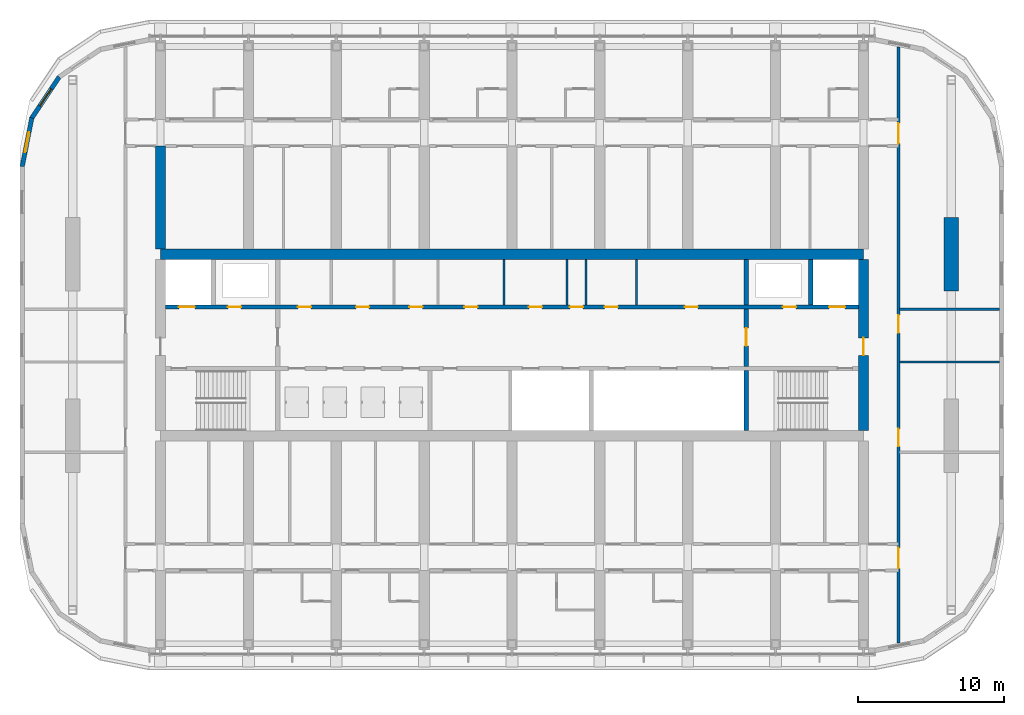
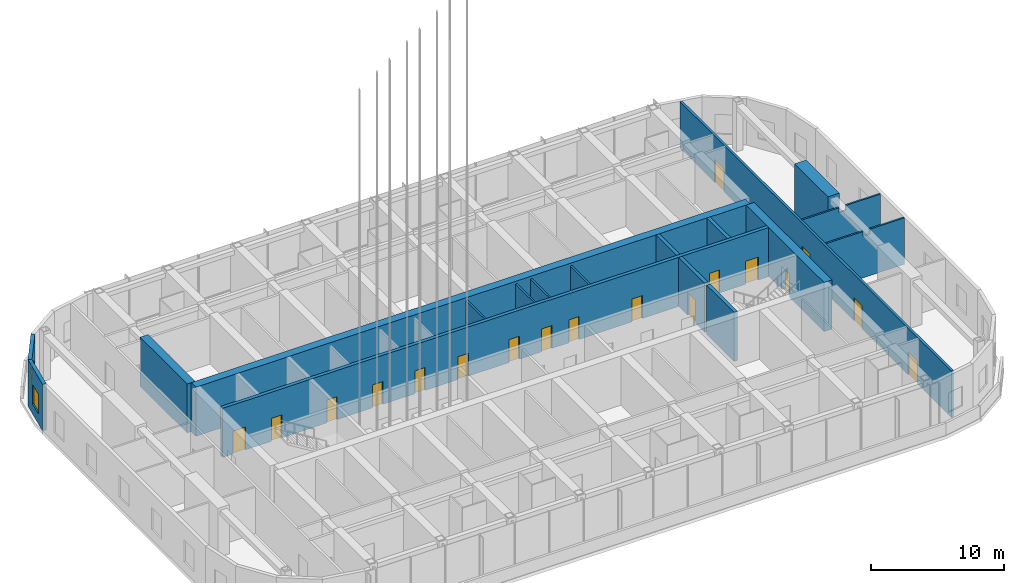
# One storey, part 18 of 35: 18 doors, 18 walls, 2 windows, 20 openings.
"""IFC4 building model written with IfcOpenShell, lengths in metres."""

from ifc_helpers import new_model, si_unit, direction, frame, frame_2d, origin, place, context, subcontext, project, spatial, polyline, rectangle, outline, extrude, material, layer, layer_set, type_object, element, fill, save


model = new_model("IFC4")

# Units and contexts
model_context = context("Model", 3, precision=1e-05, world=origin(), true_north=direction((0.0, 1.0)))
body_context = subcontext(model_context, "Body", "Model", "MODEL_VIEW")
ifc_project = project(units=[si_unit("LENGTHUNIT", "METRE"), si_unit("AREAUNIT", "SQUARE_METRE"), si_unit("VOLUMEUNIT", "CUBIC_METRE"), si_unit("PLANEANGLEUNIT", "RADIAN"), si_unit("MASSUNIT", "GRAM", prefix="KILO")], contexts=[model_context])

# Site, building, storey
site_placement = place(None, origin())
site = spatial("IfcSite", under=ifc_project, at=site_placement, CompositionType="ELEMENT")
building_placement = place(site_placement, origin())
building = spatial("IfcBuilding", under=site, at=building_placement, Name="Orbita Commons", CompositionType="ELEMENT")
storey_placement = place(building_placement, frame((0.0, 0.0, 208.300048828125)))
storey = spatial("IfcBuildingStorey", under=building, at=storey_placement, Name="L51", CompositionType="ELEMENT", Elevation=208.300048828125)

# Wall, openings, doors
ifc_material_1 = material(Name="Concrete C50/60", Category="concrete")
ifc_layer_1 = layer(ifc_material_1, 0.300048828125)
ifc_layer_set_1 = layer_set([ifc_layer_1], Name="Concrete C50/60")
wall_type_1 = type_object("IfcWallType", Name="Core inner wall 300 C50/60", PredefinedType="SHEAR", material=ifc_layer_set_1)
wall_1_placement = place(storey_placement, frame((18.35009765625, 34.60009765625, 0.0), z_axis=(0.0, 0.0, 1.0), x_axis=(1.0, 0.0, 0.0)))
wall_1 = element("IfcWall", 1, at=wall_1_placement, inside=storey, type_object=wall_type_1, Name="Lobby wall north L51", PredefinedType="SHEAR", context=body_context, shape_type="SweptSolid", body=[
    extrude(rectangle(XDim=47.2998046875, YDim=0.300048828125, at=frame_2d((23.64990234375, 0.0))), origin(), (0.0, 0.0, 1.0), 4.5),
])
opening_1_placement = place(wall_1_placement, frame((0.89990234375, 0.0, 0.0)))
opening_1 = element("IfcOpeningElement", 2, at=opening_1_placement, cuts=wall_1, Name="Opening LD01", PredefinedType="OPENING", context=body_context, shape_type="SweptSolid", body=[
    extrude(rectangle(XDim=1.10009765625, YDim=2.10009765625, at=frame_2d((0.550048828125, 1.050048828125))), frame((0.0, 0.159912109375, 0.0), z_axis=(0.0, -1.0, 0.0), x_axis=(1.0, 0.0, 0.0)), (0.0, 0.0, 1.0), 0.320068359375),
])
opening_2_placement = place(wall_1_placement, frame((45.300048828125, 0.0, 0.0)))
opening_2 = element("IfcOpeningElement", 3, at=opening_2_placement, cuts=wall_1, Name="Opening LD01", PredefinedType="OPENING", context=body_context, shape_type="SweptSolid", body=[
    extrude(rectangle(XDim=1.10009765625, YDim=2.10009765625, at=frame_2d((0.550048828125, 1.050048828125))), frame((0.0, 0.159912109375, 0.0), z_axis=(0.0, -1.0, 0.0), x_axis=(1.0, 0.0, 0.0)), (0.0, 0.0, 1.0), 0.320068359375),
])
opening_3_placement = place(wall_1_placement, frame((4.25, 0.0, 0.0)))
opening_3 = element("IfcOpeningElement", 4, at=opening_3_placement, cuts=wall_1, Name="Opening D03", PredefinedType="OPENING", context=body_context, shape_type="SweptSolid", body=[
    extrude(rectangle(XDim=0.89990234375, YDim=2.10009765625, at=frame_2d((0.449951171875, 1.050048828125))), frame((0.0, 0.159912109375, 0.0), z_axis=(0.0, -1.0, 0.0), x_axis=(1.0, 0.0, 0.0)), (0.0, 0.0, 1.0), 0.320068359375),
])
opening_4_placement = place(wall_1_placement, frame((42.14990234375, 0.0, 0.0)))
opening_4 = element("IfcOpeningElement", 5, at=opening_4_placement, cuts=wall_1, Name="Opening D03", PredefinedType="OPENING", context=body_context, shape_type="SweptSolid", body=[
    extrude(rectangle(XDim=0.89990234375, YDim=2.10009765625, at=frame_2d((0.449951171875, 1.050048828125))), frame((0.0, 0.159912109375, 0.0), z_axis=(0.0, -1.0, 0.0), x_axis=(1.0, 0.0, 0.0)), (0.0, 0.0, 1.0), 0.320068359375),
])
opening_5_placement = place(wall_1_placement, frame((9.025390625, 0.0, 0.0)))
opening_5 = element("IfcOpeningElement", 6, at=opening_5_placement, cuts=wall_1, Name="Opening D05", PredefinedType="OPENING", context=body_context, shape_type="SweptSolid", body=[
    extrude(rectangle(XDim=0.89990234375, YDim=2.10009765625, at=frame_2d((0.449951171875, 1.050048828125))), frame((0.0, 0.159912109375, 0.0), z_axis=(0.0, -1.0, 0.0), x_axis=(1.0, 0.0, 0.0)), (0.0, 0.0, 1.0), 0.320068359375),
])
opening_6_placement = place(wall_1_placement, frame((12.998779296875, 0.0, 0.0)))
opening_6 = element("IfcOpeningElement", 7, at=opening_6_placement, cuts=wall_1, Name="Opening D03", PredefinedType="OPENING", context=body_context, shape_type="SweptSolid", body=[
    extrude(rectangle(XDim=0.89990234375, YDim=2.10009765625, at=frame_2d((0.449951171875, 1.050048828125))), frame((0.0, 0.159912109375, 0.0), z_axis=(0.0, -1.0, 0.0), x_axis=(1.0, 0.0, 0.0)), (0.0, 0.0, 1.0), 0.320068359375),
])
opening_7_placement = place(wall_1_placement, frame((16.646240234375, 0.0, 0.0)))
opening_7 = element("IfcOpeningElement", 8, at=opening_7_placement, cuts=wall_1, Name="Opening D03", PredefinedType="OPENING", context=body_context, shape_type="SweptSolid", body=[
    extrude(rectangle(XDim=0.89990234375, YDim=2.10009765625, at=frame_2d((0.449951171875, 1.050048828125))), frame((0.0, 0.159912109375, 0.0), z_axis=(0.0, -1.0, 0.0), x_axis=(1.0, 0.0, 0.0)), (0.0, 0.0, 1.0), 0.320068359375),
])
opening_8_placement = place(wall_1_placement, frame((20.40478515625, 0.0, 0.0)))
opening_8 = element("IfcOpeningElement", 9, at=opening_8_placement, cuts=wall_1, Name="Opening D05", PredefinedType="OPENING", context=body_context, shape_type="SweptSolid", body=[
    extrude(rectangle(XDim=0.89990234375, YDim=2.10009765625, at=frame_2d((0.449951171875, 1.050048828125))), frame((0.0, 0.159912109375, 0.0), z_axis=(0.0, -1.0, 0.0), x_axis=(1.0, 0.0, 0.0)), (0.0, 0.0, 1.0), 0.320068359375),
])
opening_9_placement = place(wall_1_placement, frame((24.810791015625, 0.0, 0.0)))
opening_9 = element("IfcOpeningElement", 10, at=opening_9_placement, cuts=wall_1, Name="Opening D03", PredefinedType="OPENING", context=body_context, shape_type="SweptSolid", body=[
    extrude(rectangle(XDim=0.89990234375, YDim=2.10009765625, at=frame_2d((0.449951171875, 1.050048828125))), frame((0.0, 0.159912109375, 0.0), z_axis=(0.0, -1.0, 0.0), x_axis=(1.0, 0.0, 0.0)), (0.0, 0.0, 1.0), 0.320068359375),
])
opening_10_placement = place(wall_1_placement, frame((27.6083984375, 0.0, 0.0)))
opening_10 = element("IfcOpeningElement", 11, at=opening_10_placement, cuts=wall_1, Name="Opening D03", PredefinedType="OPENING", context=body_context, shape_type="SweptSolid", body=[
    extrude(rectangle(XDim=0.89990234375, YDim=2.10009765625, at=frame_2d((0.449951171875, 1.050048828125))), frame((0.0, 0.159912109375, 0.0), z_axis=(0.0, -1.0, 0.0), x_axis=(1.0, 0.0, 0.0)), (0.0, 0.0, 1.0), 0.320068359375),
])
opening_11_placement = place(wall_1_placement, frame((29.980712890625, 0.0, 0.0)))
opening_11 = element("IfcOpeningElement", 12, at=opening_11_placement, cuts=wall_1, Name="Opening D05", PredefinedType="OPENING", context=body_context, shape_type="SweptSolid", body=[
    extrude(rectangle(XDim=0.89990234375, YDim=2.10009765625, at=frame_2d((0.449951171875, 1.050048828125))), frame((0.0, 0.159912109375, 0.0), z_axis=(0.0, -1.0, 0.0), x_axis=(1.0, 0.0, 0.0)), (0.0, 0.0, 1.0), 0.320068359375),
])
opening_12_placement = place(wall_1_placement, frame((35.451416015625, 0.0, 0.0)))
opening_12 = element("IfcOpeningElement", 13, at=opening_12_placement, cuts=wall_1, Name="Opening D03", PredefinedType="OPENING", context=body_context, shape_type="SweptSolid", body=[
    extrude(rectangle(XDim=0.89990234375, YDim=2.10009765625, at=frame_2d((0.449951171875, 1.050048828125))), frame((0.0, 0.159912109375, 0.0), z_axis=(0.0, -1.0, 0.0), x_axis=(1.0, 0.0, 0.0)), (0.0, 0.0, 1.0), 0.320068359375),
])
ifc_material_2 = material(Name="Steel-faced fire door leaf", Category="steel")
door_type_1 = type_object("IfcDoorType", Name="Firefighting lift landing door 1100x2100", OperationType="DOUBLE_DOOR_SLIDING", PredefinedType="DOOR", material=ifc_material_2)
door_1_placement = place(opening_1_placement, origin())
door_1 = element("IfcDoor", 14, at=door_1_placement, inside=storey, type_object=door_type_1, Name="Firefighting lift FL1 landing door", OperationType="DOUBLE_DOOR_SLIDING", OverallHeight=2.10009765625, OverallWidth=1.10009765625, PredefinedType="DOOR", context=body_context, shape_type="SweptSolid", body=[
    extrude(rectangle(XDim=1.10009765625, YDim=2.10009765625, at=frame_2d((0.550048828125, 1.050048828125))), frame((0.0, 0.02490234375, 0.0), z_axis=(0.0, -1.0, 0.0), x_axis=(1.0, 0.0, 0.0)), (0.0, 0.0, 1.0), 0.050048828125),
])
fill(opening_1, door_1)
door_2_placement = place(opening_2_placement, origin())
door_2 = element("IfcDoor", 15, at=door_2_placement, inside=storey, type_object=door_type_1, Name="Firefighting lift FL2 landing door", OperationType="DOUBLE_DOOR_SLIDING", OverallHeight=2.10009765625, OverallWidth=1.10009765625, PredefinedType="DOOR", context=body_context, shape_type="SweptSolid", body=[
    extrude(rectangle(XDim=1.10009765625, YDim=2.10009765625, at=frame_2d((0.550048828125, 1.050048828125))), frame((0.0, 0.02490234375, 0.0), z_axis=(0.0, -1.0, 0.0), x_axis=(1.0, 0.0, 0.0)), (0.0, 0.0, 1.0), 0.050048828125),
])
fill(opening_2, door_2)
ifc_material_3 = material(Name="Steel-faced fire door leaf", Category="steel")
door_type_2 = type_object("IfcDoorType", Name="Service door 20 min 900x2100", OperationType="SINGLE_SWING_LEFT", PredefinedType="DOOR", material=ifc_material_3)
door_3_placement = place(opening_5_placement, origin())
door_3 = element("IfcDoor", 16, at=door_3_placement, inside=storey, type_object=door_type_2, Name="Staff WC door", OperationType="SINGLE_SWING_LEFT", OverallHeight=2.10009765625, OverallWidth=0.89990234375, PredefinedType="DOOR", context=body_context, shape_type="SweptSolid", body=[
    extrude(rectangle(XDim=0.89990234375, YDim=2.10009765625, at=frame_2d((0.449951171875, 1.050048828125))), frame((0.0, 0.02490234375, 0.0), z_axis=(0.0, -1.0, 0.0), x_axis=(1.0, 0.0, 0.0)), (0.0, 0.0, 1.0), 0.050048828125),
])
fill(opening_5, door_3)
door_4_placement = place(opening_8_placement, origin())
door_4 = element("IfcDoor", 17, at=door_4_placement, inside=storey, type_object=door_type_2, Name="Vending and ice room door", OperationType="SINGLE_SWING_LEFT", OverallHeight=2.10009765625, OverallWidth=0.89990234375, PredefinedType="DOOR", context=body_context, shape_type="SweptSolid", body=[
    extrude(rectangle(XDim=0.89990234375, YDim=2.10009765625, at=frame_2d((0.449951171875, 1.050048828125))), frame((0.0, 0.02490234375, 0.0), z_axis=(0.0, -1.0, 0.0), x_axis=(1.0, 0.0, 0.0)), (0.0, 0.0, 1.0), 0.050048828125),
])
fill(opening_8, door_4)
door_5_placement = place(opening_11_placement, origin())
door_5 = element("IfcDoor", 18, at=door_5_placement, inside=storey, type_object=door_type_2, Name="Accessible WC door", OperationType="SINGLE_SWING_LEFT", OverallHeight=2.10009765625, OverallWidth=0.89990234375, PredefinedType="DOOR", context=body_context, shape_type="SweptSolid", body=[
    extrude(rectangle(XDim=0.89990234375, YDim=2.10009765625, at=frame_2d((0.449951171875, 1.050048828125))), frame((0.0, 0.02490234375, 0.0), z_axis=(0.0, -1.0, 0.0), x_axis=(1.0, 0.0, 0.0)), (0.0, 0.0, 1.0), 0.050048828125),
])
fill(opening_11, door_5)
ifc_material_4 = material(Name="Steel-faced fire door leaf", Category="steel")
door_type_3 = type_object("IfcDoorType", Name="Shaft access door 90 min 900x2100", OperationType="SINGLE_SWING_LEFT", PredefinedType="DOOR", material=ifc_material_4)
door_6_placement = place(opening_3_placement, origin())
door_6 = element("IfcDoor", 19, at=door_6_placement, inside=storey, type_object=door_type_3, Name="Riser door west", OperationType="SINGLE_SWING_LEFT", OverallHeight=2.10009765625, OverallWidth=0.89990234375, PredefinedType="DOOR", context=body_context, shape_type="SweptSolid", body=[
    extrude(rectangle(XDim=0.89990234375, YDim=2.10009765625, at=frame_2d((0.449951171875, 1.050048828125))), frame((0.0, 0.02490234375, 0.0), z_axis=(0.0, -1.0, 0.0), x_axis=(1.0, 0.0, 0.0)), (0.0, 0.0, 1.0), 0.050048828125),
])
fill(opening_3, door_6)
door_7_placement = place(opening_4_placement, origin())
door_7 = element("IfcDoor", 20, at=door_7_placement, inside=storey, type_object=door_type_3, Name="Riser door east", OperationType="SINGLE_SWING_LEFT", OverallHeight=2.10009765625, OverallWidth=0.89990234375, PredefinedType="DOOR", context=body_context, shape_type="SweptSolid", body=[
    extrude(rectangle(XDim=0.89990234375, YDim=2.10009765625, at=frame_2d((0.449951171875, 1.050048828125))), frame((0.0, 0.02490234375, 0.0), z_axis=(0.0, -1.0, 0.0), x_axis=(1.0, 0.0, 0.0)), (0.0, 0.0, 1.0), 0.050048828125),
])
fill(opening_4, door_7)
door_8_placement = place(opening_6_placement, origin())
door_8 = element("IfcDoor", 21, at=door_8_placement, inside=storey, type_object=door_type_3, Name="Refuse chute room door", OperationType="SINGLE_SWING_LEFT", OverallHeight=2.10009765625, OverallWidth=0.89990234375, PredefinedType="DOOR", context=body_context, shape_type="SweptSolid", body=[
    extrude(rectangle(XDim=0.89990234375, YDim=2.10009765625, at=frame_2d((0.449951171875, 1.050048828125))), frame((0.0, 0.02490234375, 0.0), z_axis=(0.0, -1.0, 0.0), x_axis=(1.0, 0.0, 0.0)), (0.0, 0.0, 1.0), 0.050048828125),
])
fill(opening_6, door_8)
door_9_placement = place(opening_7_placement, origin())
door_9 = element("IfcDoor", 22, at=door_9_placement, inside=storey, type_object=door_type_3, Name="Electrical riser room door", OperationType="SINGLE_SWING_LEFT", OverallHeight=2.10009765625, OverallWidth=0.89990234375, PredefinedType="DOOR", context=body_context, shape_type="SweptSolid", body=[
    extrude(rectangle(XDim=0.89990234375, YDim=2.10009765625, at=frame_2d((0.449951171875, 1.050048828125))), frame((0.0, 0.02490234375, 0.0), z_axis=(0.0, -1.0, 0.0), x_axis=(1.0, 0.0, 0.0)), (0.0, 0.0, 1.0), 0.050048828125),
])
fill(opening_7, door_9)
door_10_placement = place(opening_9_placement, origin())
door_10 = element("IfcDoor", 23, at=door_10_placement, inside=storey, type_object=door_type_3, Name="Communications room door", OperationType="SINGLE_SWING_LEFT", OverallHeight=2.10009765625, OverallWidth=0.89990234375, PredefinedType="DOOR", context=body_context, shape_type="SweptSolid", body=[
    extrude(rectangle(XDim=0.89990234375, YDim=2.10009765625, at=frame_2d((0.449951171875, 1.050048828125))), frame((0.0, 0.02490234375, 0.0), z_axis=(0.0, -1.0, 0.0), x_axis=(1.0, 0.0, 0.0)), (0.0, 0.0, 1.0), 0.050048828125),
])
fill(opening_9, door_10)
door_11_placement = place(opening_10_placement, origin())
door_11 = element("IfcDoor", 24, at=door_11_placement, inside=storey, type_object=door_type_3, Name="Stair pressurisation duct door", OperationType="SINGLE_SWING_LEFT", OverallHeight=2.10009765625, OverallWidth=0.89990234375, PredefinedType="DOOR", context=body_context, shape_type="SweptSolid", body=[
    extrude(rectangle(XDim=0.89990234375, YDim=2.10009765625, at=frame_2d((0.449951171875, 1.050048828125))), frame((0.0, 0.02490234375, 0.0), z_axis=(0.0, -1.0, 0.0), x_axis=(1.0, 0.0, 0.0)), (0.0, 0.0, 1.0), 0.050048828125),
])
fill(opening_10, door_11)
door_12_placement = place(opening_12_placement, origin())
door_12 = element("IfcDoor", 25, at=door_12_placement, inside=storey, type_object=door_type_3, Name="Linen and housekeeping store door", OperationType="SINGLE_SWING_LEFT", OverallHeight=2.10009765625, OverallWidth=0.89990234375, PredefinedType="DOOR", context=body_context, shape_type="SweptSolid", body=[
    extrude(rectangle(XDim=0.89990234375, YDim=2.10009765625, at=frame_2d((0.449951171875, 1.050048828125))), frame((0.0, 0.02490234375, 0.0), z_axis=(0.0, -1.0, 0.0), x_axis=(1.0, 0.0, 0.0)), (0.0, 0.0, 1.0), 0.050048828125),
])
fill(opening_12, door_12)

# Wall
wall_2_placement = place(storey_placement, frame((58.0, 26.14990234375, 0.0), z_axis=(0.0, 0.0, 1.0), x_axis=(0.0, 1.0, 0.0)))
element("IfcWall", 26, at=wall_2_placement, inside=storey, type_object=wall_type_1, Name="Stair S2 wall L51", PredefinedType="SHEAR", context=body_context, shape_type="SweptSolid", body=[
    extrude(rectangle(XDim=4.10009765625, YDim=0.300048828125, at=frame_2d((2.050048828125, 0.0))), origin(), (0.0, 0.0, 1.0), 4.5),
])

# Wall, opening, door
wall_3_placement = place(storey_placement, frame((58.0, 30.550048828125, 0.0), z_axis=(0.0, 0.0, 1.0), x_axis=(0.0, 1.0, 0.0)))
wall_3 = element("IfcWall", 27, at=wall_3_placement, inside=storey, type_object=wall_type_1, Name="Firefighting lobby wall east L51", PredefinedType="SHEAR", context=body_context, shape_type="SweptSolid", body=[
    extrude(rectangle(XDim=3.89990234375, YDim=0.300048828125, at=frame_2d((1.949951171875, 0.0))), origin(), (0.0, 0.0, 1.0), 4.5),
])
opening_13_placement = place(wall_3_placement, frame((1.39990234375, 0.0, 0.0)))
opening_13 = element("IfcOpeningElement", 28, at=opening_13_placement, cuts=wall_3, Name="Opening D04", PredefinedType="OPENING", context=body_context, shape_type="SweptSolid", body=[
    extrude(rectangle(XDim=1.199951171875, YDim=2.10009765625, at=frame_2d((0.60009765625, 1.050048828125))), frame((0.0, 0.159912109375, 0.0), z_axis=(0.0, -1.0, 0.0), x_axis=(1.0, 0.0, 0.0)), (0.0, 0.0, 1.0), 0.320068359375),
])
ifc_material_5 = material(Name="Steel-faced fire door leaf", Category="steel")
door_type_4 = type_object("IfcDoorType", Name="Service door 20 min 1200x2100", OperationType="SINGLE_SWING_LEFT", PredefinedType="DOOR", material=ifc_material_5)
door_13_placement = place(opening_13_placement, origin())
door_13 = element("IfcDoor", 29, at=door_13_placement, inside=storey, type_object=door_type_4, Name="Lift lobby door east", OperationType="SINGLE_SWING_LEFT", OverallHeight=2.10009765625, OverallWidth=1.199951171875, PredefinedType="DOOR", context=body_context, shape_type="SweptSolid", body=[
    extrude(rectangle(XDim=1.199951171875, YDim=2.10009765625, at=frame_2d((0.60009765625, 1.050048828125))), frame((0.0, 0.02490234375, 0.0), z_axis=(0.0, -1.0, 0.0), x_axis=(1.0, 0.0, 0.0)), (0.0, 0.0, 1.0), 0.050048828125),
])
fill(opening_13, door_13)

# Walls
for number, where, z_axis, x_axis, name in (
    (30, (62.39990234375, 34.75, 0.0), (0.0, 0.0, 1.0), (0.0, 1.0, 0.0), "Firefighting lift FL2 shaft wall L51"),
    (31, (58.0, 34.75, 0.0), (0.0, 0.0, 1.0), (0.0, 1.0, 0.0), "Riser wall east L51"),
):
    element("IfcWall", number, at=place(storey_placement, frame(where, z_axis=z_axis, x_axis=x_axis)), inside=storey, type_object=wall_type_1, Name=name, PredefinedType="SHEAR", context=body_context, shape_type="SweptSolid", body=[
        extrude(rectangle(XDim=3.10009765625, YDim=0.300048828125, at=frame_2d((1.550048828125, 0.0))), origin(), (0.0, 0.0, 1.0), 4.5),
    ])
ifc_material_6 = material(Name="Concrete blockwork", Category="masonry")
ifc_layer_2 = layer(ifc_material_6, 0.14990234375)
ifc_layer_set_2 = layer_set([ifc_layer_2], Name="Concrete blockwork")
wall_type_2 = type_object("IfcWallType", Name="Core partition 150 blockwork", PredefinedType="SOLIDWALL", material=ifc_layer_set_2)
for number, where, z_axis, x_axis, name in (
    (32, (41.463134765625, 34.75, 0.0), (0.0, 0.0, 1.0), (0.0, 1.0, 0.0), "Core partition 150 blockwork L51"),
    (33, (45.75830078125, 34.75, 0.0), (0.0, 0.0, 1.0), (0.0, 1.0, 0.0), "Core partition 150 blockwork L51"),
    (34, (47.058349609375, 34.75, 0.0), (0.0, 0.0, 1.0), (0.0, 1.0, 0.0), "Core partition 150 blockwork L51"),
    (35, (50.5029296875, 34.75, 0.0), (0.0, 0.0, 1.0), (0.0, 1.0, 0.0), "Core partition 150 blockwork L51"),
):
    element("IfcWall", number, at=place(storey_placement, frame(where, z_axis=z_axis, x_axis=x_axis)), inside=storey, type_object=wall_type_2, Name=name, PredefinedType="SOLIDWALL", context=body_context, shape_type="SweptSolid", body=[
        extrude(rectangle(XDim=3.10009765625, YDim=0.14990234375, at=frame_2d((1.550048828125, 0.0))), origin(), (0.0, 0.0, 1.0), 4.25),
    ])
ifc_material_7 = material(Name="Concrete C50/60", Category="concrete")
ifc_layer_3 = layer(ifc_material_7, 0.699951171875)
ifc_layer_set_3 = layer_set([ifc_layer_3], Name="Concrete C50/60")
wall_type_3 = type_object("IfcWallType", Name="Core wall 700 C50/60", PredefinedType="SHEAR", material=ifc_layer_set_3)
wall_4_placement = place(storey_placement, frame((18.0, 38.199951171875, 0.0), z_axis=(0.0, 0.0, 1.0), x_axis=(1.0, 0.0, 0.0)))
element("IfcWall", 36, at=wall_4_placement, inside=storey, type_object=wall_type_3, Name="Core spine wall north L51", PredefinedType="SHEAR", context=body_context, shape_type="SweptSolid", body=[
    extrude(rectangle(XDim=48.0, YDim=0.699951171875, at=frame_2d((24.0, 0.0))), origin(), (0.0, 0.0, 1.0), 4.5),
])

# Wall, opening, door
wall_5_placement = place(storey_placement, frame((66.0, 26.14990234375, 0.0), z_axis=(0.0, 0.0, 1.0), x_axis=(0.0, 1.0, 0.0)))
wall_5 = element("IfcWall", 37, at=wall_5_placement, inside=storey, type_object=wall_type_3, Name="Core end wall east L51", PredefinedType="SHEAR", context=body_context, shape_type="SweptSolid", body=[
    extrude(rectangle(XDim=11.7001953125, YDim=0.699951171875, at=frame_2d((5.85009765625, 0.0))), origin(), (0.0, 0.0, 1.0), 4.5),
])
opening_14_placement = place(wall_5_placement, frame((5.14990234375, 0.0, 0.0)))
opening_14 = element("IfcOpeningElement", 38, at=opening_14_placement, cuts=wall_5, Name="Opening D01", PredefinedType="OPENING", context=body_context, shape_type="SweptSolid", body=[
    extrude(rectangle(XDim=1.199951171875, YDim=2.10009765625, at=frame_2d((0.60009765625, 1.050048828125))), frame((0.0, 0.35986328125, 0.0), z_axis=(0.0, -1.0, 0.0), x_axis=(1.0, 0.0, 0.0)), (0.0, 0.0, 1.0), 0.719970703125),
])
ifc_material_8 = material(Name="Steel-faced fire door leaf", Category="steel")
door_type_5 = type_object("IfcDoorType", Name="Fire door 90 min 1200x2100", OperationType="SINGLE_SWING_LEFT", PredefinedType="DOOR", material=ifc_material_8)
door_14_placement = place(opening_14_placement, origin())
door_14 = element("IfcDoor", 39, at=door_14_placement, inside=storey, type_object=door_type_5, Name="Firefighting lobby east door", OperationType="SINGLE_SWING_LEFT", OverallHeight=2.10009765625, OverallWidth=1.199951171875, PredefinedType="DOOR", context=body_context, shape_type="SweptSolid", body=[
    extrude(rectangle(XDim=1.199951171875, YDim=2.10009765625, at=frame_2d((0.60009765625, 1.050048828125))), frame((0.0, 0.02490234375, 0.0), z_axis=(0.0, -1.0, 0.0), x_axis=(1.0, 0.0, 0.0)), (0.0, 0.0, 1.0), 0.050048828125),
])
fill(opening_14, door_14)

# Wall, openings, doors
ifc_material_9 = material(Name="Concrete blockwork", Category="masonry")
ifc_layer_4 = layer(ifc_material_9, 0.199951171875)
ifc_layer_set_4 = layer_set([ifc_layer_4], Name="Concrete blockwork")
wall_type_4 = type_object("IfcWallType", Name="Corridor wall 200 blockwork", PredefinedType="SOLIDWALL", material=ifc_layer_set_4)
wall_6_placement = place(storey_placement, frame((68.39990234375, 11.646240234375, 0.0), z_axis=(0.0, 0.0, 1.0), x_axis=(0.0, 1.0, 0.0)))
wall_6 = element("IfcWall", 40, at=wall_6_placement, inside=storey, type_object=wall_type_4, Name="Corridor wall 200 blockwork L51", PredefinedType="SOLIDWALL", context=body_context, shape_type="SweptSolid", body=[
    extrude(rectangle(XDim=40.70751953125, YDim=0.199951171875, at=frame_2d((20.353759765625, 0.0))), origin(), (0.0, 0.0, 1.0), 4.25),
])
opening_15_placement = place(wall_6_placement, frame((13.433837890625, 0.0, 0.0)))
opening_15 = element("IfcOpeningElement", 41, at=opening_15_placement, cuts=wall_6, Name="Opening D15", PredefinedType="OPENING", context=body_context, shape_type="SweptSolid", body=[
    extrude(rectangle(XDim=1.199951171875, YDim=2.10009765625, at=frame_2d((0.60009765625, 1.050048828125))), frame((0.0, 0.10986328125, 0.0), z_axis=(0.0, -1.0, 0.0), x_axis=(1.0, 0.0, 0.0)), (0.0, 0.0, 1.0), 0.219970703125),
])
opening_16_placement = place(wall_6_placement, frame((21.19384765625, 0.0, 0.0)))
opening_16 = element("IfcOpeningElement", 42, at=opening_16_placement, cuts=wall_6, Name="Opening D15", PredefinedType="OPENING", context=body_context, shape_type="SweptSolid", body=[
    extrude(rectangle(XDim=1.199951171875, YDim=2.10009765625, at=frame_2d((0.60009765625, 1.050048828125))), frame((0.0, 0.10986328125, 0.0), z_axis=(0.0, -1.0, 0.0), x_axis=(1.0, 0.0, 0.0)), (0.0, 0.0, 1.0), 0.219970703125),
])
opening_17_placement = place(wall_6_placement, frame((5.103759765625, 0.0, 0.0)))
opening_17 = element("IfcOpeningElement", 43, at=opening_17_placement, cuts=wall_6, Name="Opening D08", PredefinedType="OPENING", context=body_context, shape_type="SweptSolid", body=[
    extrude(rectangle(XDim=1.39990234375, YDim=2.10009765625, at=frame_2d((0.699951171875, 1.050048828125))), frame((0.0, 0.10986328125, 0.0), z_axis=(0.0, -1.0, 0.0), x_axis=(1.0, 0.0, 0.0)), (0.0, 0.0, 1.0), 0.219970703125),
])
opening_18_placement = place(wall_6_placement, frame((34.103759765625, 0.0, 0.0)))
opening_18 = element("IfcOpeningElement", 44, at=opening_18_placement, cuts=wall_6, Name="Opening D08", PredefinedType="OPENING", context=body_context, shape_type="SweptSolid", body=[
    extrude(rectangle(XDim=1.39990234375, YDim=2.10009765625, at=frame_2d((0.699951171875, 1.050048828125))), frame((0.0, 0.10986328125, 0.0), z_axis=(0.0, -1.0, 0.0), x_axis=(1.0, 0.0, 0.0)), (0.0, 0.0, 1.0), 0.219970703125),
])
ifc_material_10 = material(Name="Steel-faced fire door leaf", Category="steel")
door_type_6 = type_object("IfcDoorType", Name="Corridor door 20 min 1200x2100", OperationType="SINGLE_SWING_LEFT", PredefinedType="DOOR", material=ifc_material_10)
door_15_placement = place(opening_15_placement, origin())
door_15 = element("IfcDoor", 45, at=door_15_placement, inside=storey, type_object=door_type_6, Name="Study hall door", OperationType="SINGLE_SWING_LEFT", OverallHeight=2.10009765625, OverallWidth=1.199951171875, PredefinedType="DOOR", context=body_context, shape_type="SweptSolid", body=[
    extrude(rectangle(XDim=1.199951171875, YDim=2.10009765625, at=frame_2d((0.60009765625, 1.050048828125))), frame((0.0, 0.02490234375, 0.0), z_axis=(0.0, -1.0, 0.0), x_axis=(1.0, 0.0, 0.0)), (0.0, 0.0, 1.0), 0.050048828125),
])
fill(opening_15, door_15)
door_16_placement = place(opening_16_placement, origin())
door_16 = element("IfcDoor", 46, at=door_16_placement, inside=storey, type_object=door_type_6, Name="Study hall door", OperationType="SINGLE_SWING_LEFT", OverallHeight=2.10009765625, OverallWidth=1.199951171875, PredefinedType="DOOR", context=body_context, shape_type="SweptSolid", body=[
    extrude(rectangle(XDim=1.199951171875, YDim=2.10009765625, at=frame_2d((0.60009765625, 1.050048828125))), frame((0.0, 0.02490234375, 0.0), z_axis=(0.0, -1.0, 0.0), x_axis=(1.0, 0.0, 0.0)), (0.0, 0.0, 1.0), 0.050048828125),
])
fill(opening_16, door_16)
ifc_material_11 = material(Name="Steel-faced fire door leaf", Category="steel")
door_type_7 = type_object("IfcDoorType", Name="Double corridor door 20 min 1400x2100", OperationType="DOUBLE_DOOR_SINGLE_SWING", PredefinedType="DOOR", material=ifc_material_11)
door_17_placement = place(opening_17_placement, origin())
door_17 = element("IfcDoor", 47, at=door_17_placement, inside=storey, type_object=door_type_7, Name="Lounge doors", OperationType="DOUBLE_DOOR_SINGLE_SWING", OverallHeight=2.10009765625, OverallWidth=1.39990234375, PredefinedType="DOOR", context=body_context, shape_type="SweptSolid", body=[
    extrude(rectangle(XDim=1.39990234375, YDim=2.10009765625, at=frame_2d((0.699951171875, 1.050048828125))), frame((0.0, 0.02490234375, 0.0), z_axis=(0.0, -1.0, 0.0), x_axis=(1.0, 0.0, 0.0)), (0.0, 0.0, 1.0), 0.050048828125),
])
fill(opening_17, door_17)
door_18_placement = place(opening_18_placement, origin())
door_18 = element("IfcDoor", 48, at=door_18_placement, inside=storey, type_object=door_type_7, Name="Lounge doors", OperationType="DOUBLE_DOOR_SINGLE_SWING", OverallHeight=2.10009765625, OverallWidth=1.39990234375, PredefinedType="DOOR", context=body_context, shape_type="SweptSolid", body=[
    extrude(rectangle(XDim=1.39990234375, YDim=2.10009765625, at=frame_2d((0.699951171875, 1.050048828125))), frame((0.0, 0.02490234375, 0.0), z_axis=(0.0, -1.0, 0.0), x_axis=(1.0, 0.0, 0.0)), (0.0, 0.0, 1.0), 0.050048828125),
])
fill(opening_18, door_18)

# Walls
ifc_material_12 = material(Name="Concrete C50/60", Category="concrete")
ifc_layer_5 = layer(ifc_material_12, 0.699951171875)
ifc_layer_set_5 = layer_set([ifc_layer_5], Name="Concrete C50/60")
wall_type_5 = type_object("IfcWallType", Name="Cross wall 700 C50/60", PredefinedType="SHEAR", material=ifc_layer_set_5)
wall_7_placement = place(storey_placement, frame((18.0, 38.550048828125, 0.0), z_axis=(0.0, 0.0, 1.0), x_axis=(0.0, 1.0, 0.0)))
element("IfcWall", 49, at=wall_7_placement, inside=storey, type_object=wall_type_5, Name="Cross wall 4 north inner L51", PredefinedType="SHEAR", context=body_context, shape_type="SweptSolid", body=[
    extrude(rectangle(XDim=7.050048828125, YDim=0.699951171875, at=frame_2d((3.52490234375, 0.0))), origin(), (0.0, 0.0, 1.0), 4.5),
])
ifc_material_13 = material(Name="Concrete C50/60", Category="concrete")
ifc_layer_6 = layer(ifc_material_13, 1.0)
ifc_layer_set_6 = layer_set([ifc_layer_6], Name="Concrete C50/60")
wall_type_6 = type_object("IfcWallType", Name="End pier 1000x5000 C50/60", PredefinedType="SHEAR", material=ifc_layer_set_6)
wall_8_placement = place(storey_placement, frame((72.0, 35.699951171875, 0.0), z_axis=(0.0, 0.0, 1.0), x_axis=(0.0, 1.0, 0.0)))
element("IfcWall", 50, at=wall_8_placement, inside=storey, type_object=wall_type_6, Name="End pier 13/D L51", PredefinedType="SHEAR", context=body_context, shape_type="SweptSolid", body=[
    extrude(rectangle(XDim=5.0, YDim=1.0, at=frame_2d((2.5, 0.0))), origin(), (0.0, 0.0, 1.0), 4.5),
])
ifc_material_14 = material(Name="Gypsum plasterboard on steel studs", Category="steel")
ifc_layer_7 = layer(ifc_material_14, 0.14990234375)
ifc_layer_set_7 = layer_set([ifc_layer_7], Name="Gypsum plasterboard on steel studs")
wall_type_7 = type_object("IfcWallType", Name="Partition 150 plasterboard", PredefinedType="PARTITIONING", material=ifc_layer_set_7)
for number, where, z_axis, x_axis, name in (
    (51, (68.47509765625, 30.85009765625, 0.0), (0.0, 0.0, 1.0), (1.0, 0.0, 0.0), "Partition 150 plasterboard L51"),
    (52, (68.47509765625, 34.43994140625, 0.0), (0.0, 0.0, 1.0), (1.0, 0.0, 0.0), "Partition 150 plasterboard L51"),
):
    element("IfcWall", number, at=place(storey_placement, frame(where, z_axis=z_axis, x_axis=x_axis)), inside=storey, type_object=wall_type_7, Name=name, PredefinedType="PARTITIONING", context=body_context, shape_type="SweptSolid", body=[
        extrude(outline(polyline([(0.0, 0.0), (6.81982421875, 0.0), (6.820068359375, 4.25), (3.826904296875, 4.25), (3.824951171875, 3.800048828125), (3.22705078125, 3.800048828125), (3.22509765625, 4.25), (0.0, 4.25), (0.0, 0.0)])), frame((0.0, 0.074951171875, 0.0), z_axis=(0.0, -1.0, 0.0), x_axis=(1.0, 0.0, 0.0)), (0.0, 0.0, 1.0), 0.14990234375),
    ])

# Wall, opening, window
ifc_material_15 = material(Name="Precast concrete C40/50, white board-marked finish", Category="concrete")
ifc_layer_8 = layer(ifc_material_15, 0.300048828125)
ifc_layer_set_8 = layer_set([ifc_layer_8], Name="Precast concrete C40/50, white board-marked finish")
wall_type_8 = type_object("IfcWallType", Name="Precast concrete end shield 300", PredefinedType="SOLIDWALL", material=ifc_layer_set_8)
wall_9_placement = place(storey_placement, frame((11.08349609375, 50.31640625, 0.0), z_axis=(0.0, 0.0, 1.0), x_axis=(-0.555567969291, -0.831471124873, 0.0)))
wall_9 = element("IfcWall", 53, at=wall_9_placement, inside=storey, type_object=wall_type_8, Name="End shield NW chord 3 L51", PredefinedType="SOLIDWALL", context=body_context, shape_type="SweptSolid", body=[
    extrude(outline(polyline([(-0.02978515625, -0.14990234375), (3.40478515625, -0.14990234375), (3.34521484375, 0.14990234375), (0.02978515625, 0.14990234375), (-0.02978515625, -0.14990234375)])), origin(), (0.0, 0.0, 1.0), 4.25),
])
opening_19_placement = place(wall_9_placement, frame((0.987548828125, 0.0, 0.89990234375)))
opening_19 = element("IfcOpeningElement", 54, at=opening_19_placement, cuts=wall_9, Name="Opening W02", PredefinedType="OPENING", context=body_context, shape_type="SweptSolid", body=[
    extrude(rectangle(XDim=1.39990234375, YDim=1.800048828125, at=frame_2d((0.699951171875, 0.89990234375))), frame((0.0, 0.159912109375, 0.0), z_axis=(0.0, -1.0, 0.0), x_axis=(1.0, 0.0, 0.0)), (0.0, 0.0, 1.0), 0.320068359375),
])
ifc_material_16 = material(Name="Aluminium frame, clear double glazing", Category="aluminium")
window_type = type_object("IfcWindowType", Name="Deep-set window 1400x1800", PartitioningType="SINGLE_PANEL", PredefinedType="WINDOW", material=ifc_material_16)
window_1_placement = place(opening_19_placement, origin())
window_1 = element("IfcWindow", 55, at=window_1_placement, inside=storey, type_object=window_type, Name="Window L51-NW2", OverallHeight=1.800048828125, OverallWidth=1.39990234375, PartitioningType="SINGLE_PANEL", PredefinedType="WINDOW", context=body_context, shape_type="SweptSolid", body=[
    extrude(rectangle(XDim=1.39990234375, YDim=1.800048828125, at=frame_2d((0.699951171875, 0.89990234375))), frame((0.0, 0.030029296875, 0.0), z_axis=(0.0, -1.0, 0.0), x_axis=(1.0, 0.0, 0.0)), (0.0, 0.0, 1.0), 0.06005859375),
])
fill(opening_19, window_1)

wall_10_placement = place(storey_placement, frame((9.20849609375, 47.51025390625, 0.0), z_axis=(0.0, 0.0, 1.0), x_axis=(-0.19508664885, -0.980786011034, 0.0)))
wall_10 = element("IfcWall", 56, at=wall_10_placement, inside=storey, type_object=wall_type_8, Name="End shield NW chord 4 L51", PredefinedType="SOLIDWALL", context=body_context, shape_type="SweptSolid", body=[
    extrude(outline(polyline([(-0.02978515625, -0.14990234375), (3.39013671875, -0.14990234375), (3.3603515625, 0.14990234375), (0.02978515625, 0.14990234375), (-0.02978515625, -0.14990234375)])), origin(), (0.0, 0.0, 1.0), 4.25),
])
opening_20_placement = place(wall_10_placement, frame((0.987548828125, 0.0, 0.89990234375)))
opening_20 = element("IfcOpeningElement", 57, at=opening_20_placement, cuts=wall_10, Name="Opening W02", PredefinedType="OPENING", context=body_context, shape_type="SweptSolid", body=[
    extrude(rectangle(XDim=1.39990234375, YDim=1.800048828125, at=frame_2d((0.699951171875, 0.89990234375))), frame((0.0, 0.159912109375, 0.0), z_axis=(0.0, -1.0, 0.0), x_axis=(1.0, 0.0, 0.0)), (0.0, 0.0, 1.0), 0.320068359375),
])
window_2_placement = place(opening_20_placement, origin())
window_2 = element("IfcWindow", 58, at=window_2_placement, inside=storey, type_object=window_type, Name="Window L51-NW3", OverallHeight=1.800048828125, OverallWidth=1.39990234375, PartitioningType="SINGLE_PANEL", PredefinedType="WINDOW", context=body_context, shape_type="SweptSolid", body=[
    extrude(rectangle(XDim=1.39990234375, YDim=1.800048828125, at=frame_2d((0.699951171875, 0.89990234375))), frame((0.0, 0.030029296875, 0.0), z_axis=(0.0, -1.0, 0.0), x_axis=(1.0, 0.0, 0.0)), (0.0, 0.0, 1.0), 0.06005859375),
])
fill(opening_20, window_2)

save(model, "model.ifc")
